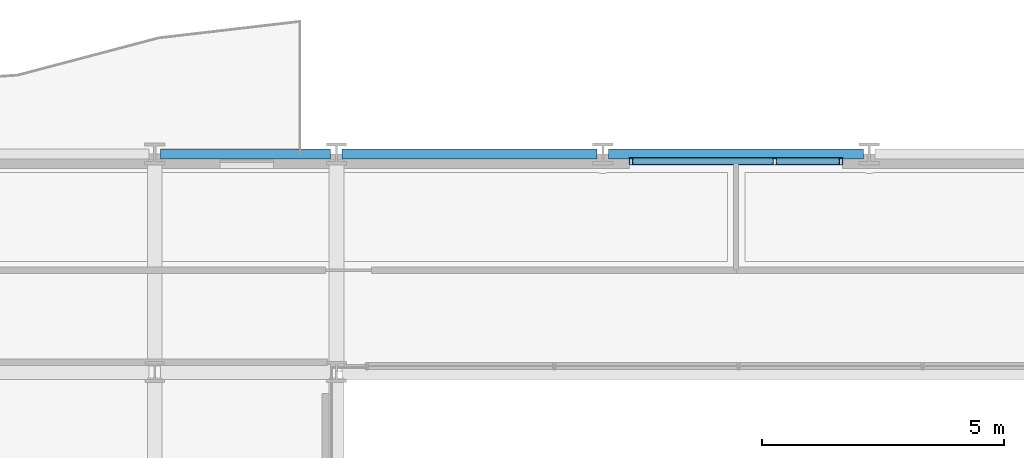
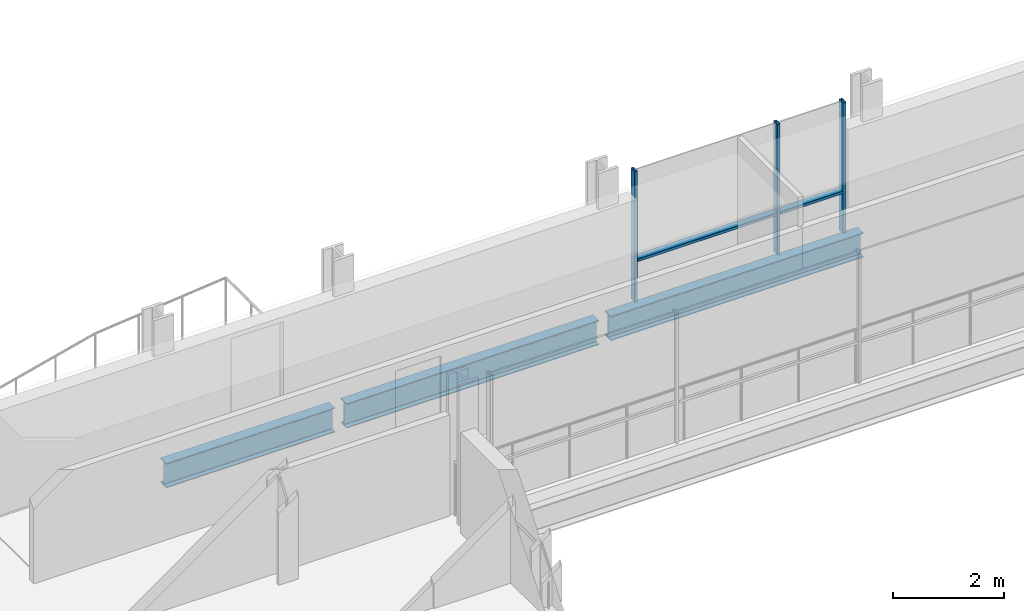
# One storey, part 22 of 41: 5 members, 3 beams, 1 element without a shape of its own.
"""IFC4 building model written with IfcOpenShell, lengths in metres."""

from ifc_helpers import new_model, si_unit, direction, frame, origin, origin_2d, place, context, subcontext, project, spatial, hollow_rectangle, i_section, extrude, material, layer, layer_set, material_profile, profile_set, type_object, element, aggregate, save


model = new_model("IFC4")

# Units and contexts
model_context = context("Model", 3, precision=1e-05, world=origin(), true_north=direction((0.0, 1.0)))
body_context = subcontext(model_context, "Body", "Model", "MODEL_VIEW")
ifc_project = project(units=[si_unit("LENGTHUNIT", "METRE"), si_unit("AREAUNIT", "SQUARE_METRE"), si_unit("VOLUMEUNIT", "CUBIC_METRE"), si_unit("PLANEANGLEUNIT", "RADIAN"), si_unit("MASSUNIT", "GRAM", prefix="KILO")], contexts=[model_context])

# Site, building, storey
site_placement = place(None, origin())
site = spatial("IfcSite", under=ifc_project, at=site_placement, CompositionType="ELEMENT")
building_placement = place(site_placement, origin())
building = spatial("IfcBuilding", under=site, at=building_placement, Name="Brevholm Reach", CompositionType="ELEMENT")
storey_placement = place(building_placement, frame((0.0, 0.0, 74.5)))
storey = spatial("IfcBuildingStorey", under=building, at=storey_placement, Name="L21", CompositionType="ELEMENT", Elevation=74.5)

# Beams
ifc_material_1 = material(Name="Structural Steel S355J2", Category="steel")
ifc_material_profile_1 = material_profile(ifc_material_1, i_section(OverallWidth=0.210693359375, OverallDepth=0.53955078125, WebThickness=0.01171875, FlangeThickness=0.018798828125, FilletRadius=0.0126953125, at=origin_2d()), Name="UKB 533x210x109")
ifc_profile_set_1 = profile_set([ifc_material_profile_1], Name="Structural Steel S355J2")
beam_type = type_object("IfcBeamType", Name="BM-SP539", PredefinedType="SPANDREL", material=ifc_profile_set_1)
beam_placement = place(storey_placement, frame((18.1201171875, 31.0, -0.499755859375), z_axis=(1.0, 0.0, 0.0), x_axis=(0.0, 1.0, 0.0)))
element("IfcBeam", 1, at=beam_placement, inside=storey, type_object=beam_type, Name="L21 SP-01B Framing Beam", PredefinedType="SPANDREL", context=body_context, shape_type="SweptSolid", body=[
    extrude(i_section(OverallWidth=0.210693359375, OverallDepth=0.53955078125, WebThickness=0.01171875, FlangeThickness=0.018798828125, FilletRadius=0.0126953125, at=origin_2d()), origin(), (0.0, 0.0, 1.0), 3.509765625),
])
for number, where, z_axis, x_axis, name in (
    (2, (21.8701171875, 31.0, -0.499755859375), (1.0, 0.0, 0.0), (0.0, 1.0, 0.0), "L21 SP-01B Framing Beam"),
    (3, (27.3701171875, 31.0, -0.499755859375), (1.0, 0.0, 0.0), (0.0, 1.0, 0.0), "L21 SP-01B Framing Beam"),
):
    element("IfcBeam", number, at=place(storey_placement, frame(where, z_axis=z_axis, x_axis=x_axis)), inside=storey, type_object=beam_type, Name=name, PredefinedType="SPANDREL", context=body_context, shape_type="SweptSolid", body=[
        extrude(i_section(OverallWidth=0.210693359375, OverallDepth=0.53955078125, WebThickness=0.01171875, FlangeThickness=0.018798828125, FilletRadius=0.0126953125, at=origin_2d()), origin(), (0.0, 0.0, 1.0), 5.259765625),
    ])

# Curtain wall, members
ifc_material_2 = material(Name="Dark Anodised Aluminium 6063-T6 and Solar-Control Glass", Category="aluminium")
ifc_layer = layer(ifc_material_2, 0.14990234375)
ifc_layer_set = layer_set([ifc_layer], Name="Dark Anodised Aluminium 6063-T6 and Solar-Control Glass")
curtain_wall_type = type_object("IfcCurtainWallType", Name="CW-01", PredefinedType="NOTDEFINED", material=ifc_layer_set)
curtain_wall_placement = place(storey_placement, origin())
curtain_wall = element("IfcCurtainWall", 4, at=curtain_wall_placement, inside=storey, type_object=curtain_wall_type, Name="L21 Curtain Wall CW-01", PredefinedType="NOTDEFINED")
ifc_material_3 = material(Name="Dark Anodised Aluminium 6063-T6", Category="aluminium")
ifc_material_profile_2 = material_profile(ifc_material_3, hollow_rectangle(XDim=0.06494140625, YDim=0.14990234375, WallThickness=0.0048828125, InnerFilletRadius=0.0048828125, OuterFilletRadius=0.010009765625, at=origin_2d()), Name="RHS 150x65x5")
ifc_profile_set_2 = profile_set([ifc_material_profile_2], Name="Dark Anodised Aluminium 6063-T6")
member_type_1 = type_object("IfcMemberType", Name="CWM-150", PredefinedType="MULLION", material=ifc_profile_set_2)
member_1_placement = place(storey_placement, frame((27.83251953125, 30.85009765625, 0.0), z_axis=(0.0, 0.0, 1.0), x_axis=(1.0, 0.0, 0.0)))
member_1 = element("IfcMember", 5, at=member_1_placement, type_object=member_type_1, Name="CM-150 Mullion 1", PredefinedType="MULLION", context=body_context, shape_type="SweptSolid", body=[
    extrude(hollow_rectangle(XDim=0.06494140625, YDim=0.14990234375, WallThickness=0.0048828125, InnerFilletRadius=0.0048828125, OuterFilletRadius=0.010009765625, at=origin_2d()), origin(), (0.0, 0.0, 1.0), 2.8701171875),
])
member_2_placement = place(storey_placement, frame((30.800048828125, 30.85009765625, 0.0), z_axis=(0.0, 0.0, 1.0), x_axis=(1.0, 0.0, 0.0)))
member_2 = element("IfcMember", 6, at=member_2_placement, type_object=member_type_1, Name="CM-150 Mullion 2", PredefinedType="MULLION", context=body_context, shape_type="SweptSolid", body=[
    extrude(hollow_rectangle(XDim=0.06494140625, YDim=0.14990234375, WallThickness=0.0048828125, InnerFilletRadius=0.0048828125, OuterFilletRadius=0.010009765625, at=origin_2d()), origin(), (0.0, 0.0, 1.0), 2.8701171875),
])
member_3_placement = place(storey_placement, frame((32.16748046875, 30.85009765625, 0.0), z_axis=(0.0, 0.0, 1.0), x_axis=(1.0, 0.0, 0.0)))
member_3 = element("IfcMember", 7, at=member_3_placement, type_object=member_type_1, Name="CM-150 Mullion 3", PredefinedType="MULLION", context=body_context, shape_type="SweptSolid", body=[
    extrude(hollow_rectangle(XDim=0.06494140625, YDim=0.14990234375, WallThickness=0.0048828125, InnerFilletRadius=0.0048828125, OuterFilletRadius=0.010009765625, at=origin_2d()), origin(), (0.0, 0.0, 1.0), 2.8701171875),
])
ifc_material_4 = material(Name="Dark Anodised Aluminium 6063-T6", Category="aluminium")
ifc_material_profile_3 = material_profile(ifc_material_4, hollow_rectangle(XDim=0.06494140625, YDim=0.14990234375, WallThickness=0.0048828125, InnerFilletRadius=0.0048828125, OuterFilletRadius=0.010009765625, at=origin_2d()), Name="RHS 150x65x5")
ifc_profile_set_3 = profile_set([ifc_material_profile_3], Name="Dark Anodised Aluminium 6063-T6")
member_type_2 = type_object("IfcMemberType", Name="CWT-150", PredefinedType="NOTDEFINED", material=ifc_profile_set_3)
member_4_placement = place(storey_placement, frame((27.864990234375, 30.85009765625, 0.89990234375), z_axis=(1.0, 0.0, 0.0), x_axis=(0.0, 0.0, 1.0)))
member_4 = element("IfcMember", 8, at=member_4_placement, type_object=member_type_2, Name="CT-150 Transom 1.1", ObjectType="TRANSOM", PredefinedType="USERDEFINED", context=body_context, shape_type="SweptSolid", body=[
    extrude(hollow_rectangle(XDim=0.06494140625, YDim=0.14990234375, WallThickness=0.0048828125, InnerFilletRadius=0.0048828125, OuterFilletRadius=0.010009765625, at=origin_2d()), origin(), (0.0, 0.0, 1.0), 2.902587890625),
])
member_5_placement = place(storey_placement, frame((30.83251953125, 30.85009765625, 0.89990234375), z_axis=(1.0, 0.0, 0.0), x_axis=(0.0, 0.0, 1.0)))
member_5 = element("IfcMember", 9, at=member_5_placement, type_object=member_type_2, Name="CT-150 Transom 2.1", ObjectType="TRANSOM", PredefinedType="USERDEFINED", context=body_context, shape_type="SweptSolid", body=[
    extrude(hollow_rectangle(XDim=0.06494140625, YDim=0.14990234375, WallThickness=0.0048828125, InnerFilletRadius=0.0048828125, OuterFilletRadius=0.010009765625, at=origin_2d()), origin(), (0.0, 0.0, 1.0), 1.302490234375),
])
aggregate(curtain_wall, [member_1, member_2, member_3, member_4, member_5])

save(model, "model.ifc")
